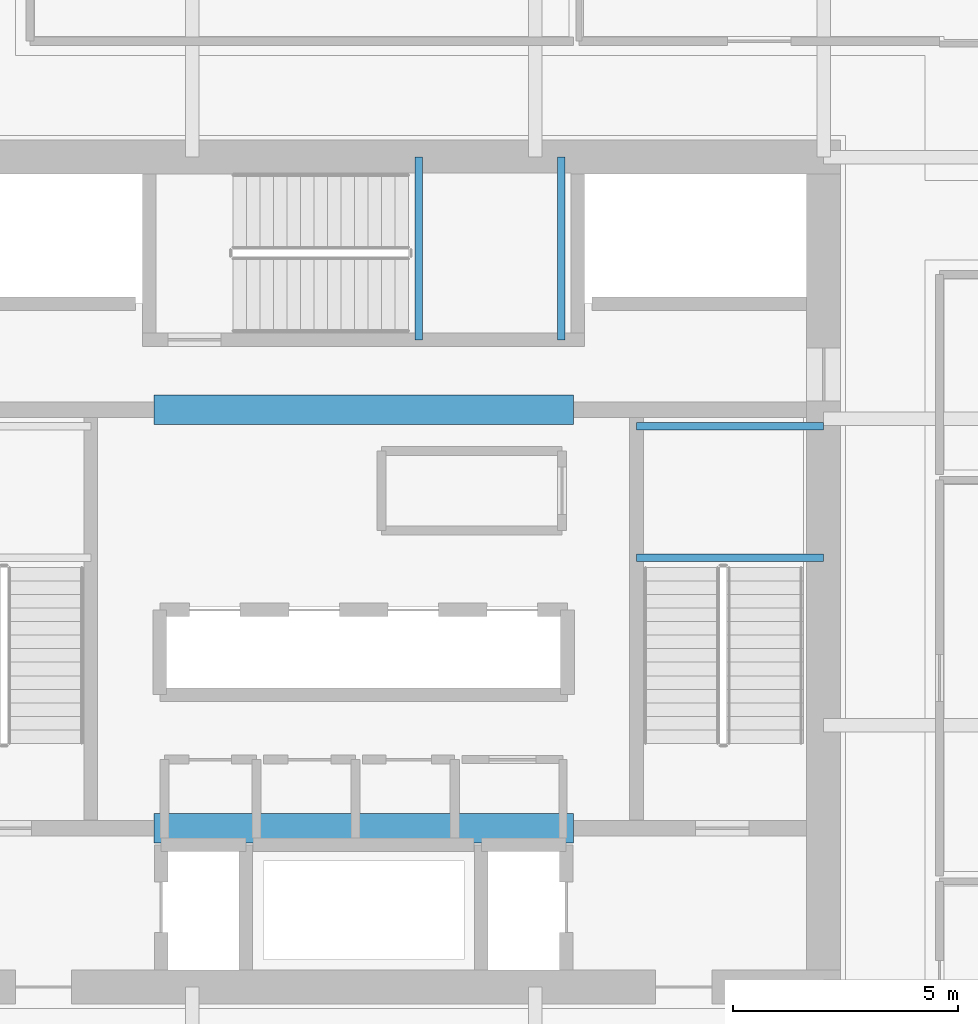
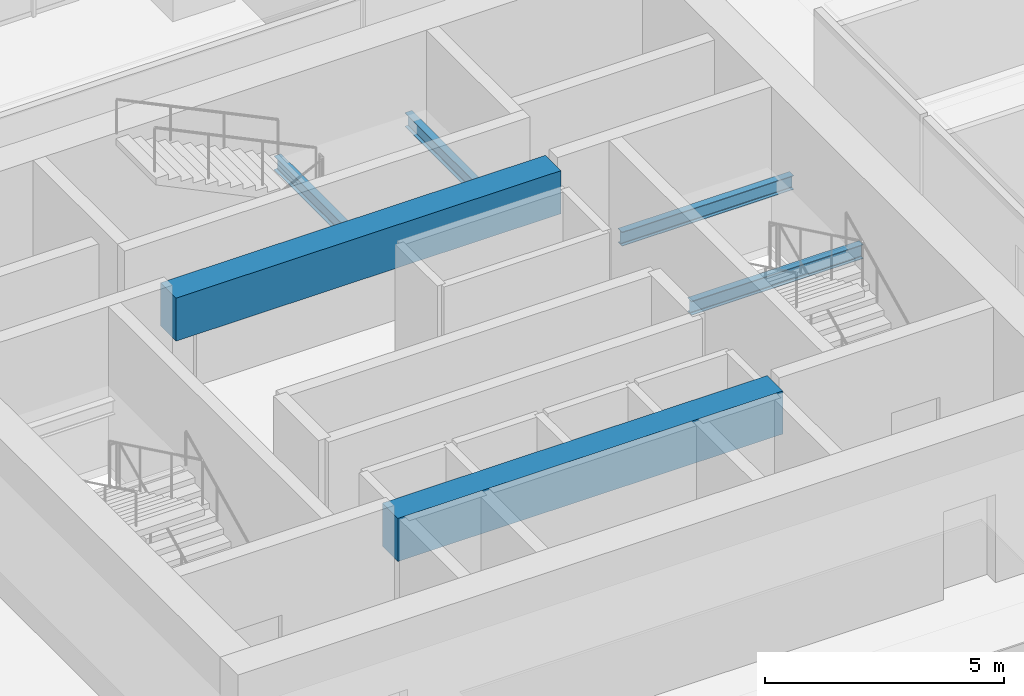
# One storey, part 11 of 35: 6 beams.
"""IFC4 building model written with IfcOpenShell, lengths in metres."""

from ifc_helpers import new_model, si_unit, direction, frame, origin, origin_2d, place, context, subcontext, project, spatial, rectangle, i_section, extrude, material, material_profile, profile_set, type_object, element, save


model = new_model("IFC4")

# Units and contexts
model_context = context("Model", 3, precision=1e-05, world=origin(), true_north=direction((0.0, 1.0)))
body_context = subcontext(model_context, "Body", "Model", "MODEL_VIEW")
ifc_project = project(units=[si_unit("LENGTHUNIT", "METRE"), si_unit("AREAUNIT", "SQUARE_METRE"), si_unit("VOLUMEUNIT", "CUBIC_METRE"), si_unit("PLANEANGLEUNIT", "RADIAN"), si_unit("MASSUNIT", "GRAM", prefix="KILO")], contexts=[model_context])

# Site, building, storey
site_placement = place(None, origin())
site = spatial("IfcSite", under=ifc_project, at=site_placement, CompositionType="ELEMENT")
building_placement = place(site_placement, origin())
building = spatial("IfcBuilding", under=site, at=building_placement, Name="Punatoya Terracotta Tower", CompositionType="ELEMENT")
storey_placement = place(building_placement, frame((0.0, 0.0, 68.699951171875)))
storey = spatial("IfcBuildingStorey", under=building, at=storey_placement, Name="L15", CompositionType="ELEMENT", Elevation=68.699951171875)

# Beams
ifc_material_1 = material(Name="Concrete C60/75", Category="concrete")
ifc_material_profile_1 = material_profile(ifc_material_1, rectangle(XDim=0.64990234375, YDim=1.10009765625, at=origin_2d()))
ifc_profile_set_1 = profile_set([ifc_material_profile_1], Name="Concrete C60/75")
beam_type_1 = type_object("IfcBeamType", Name="BM-RC-1100", PredefinedType="LINTEL", material=ifc_profile_set_1)
for number, where, z_axis, x_axis, name in (
    (1, (-4.64990234375, -5.679931640625, 3.260009765625), (1.0, 0.0, 0.0), (0.0, 1.0, 0.0), "L15 Core Coupling Lintel CSW"),
    (2, (-4.64990234375, 3.60009765625, 3.260009765625), (1.0, 0.0, 0.0), (0.0, 1.0, 0.0), "L15 Core Coupling Lintel CNW"),
):
    element("IfcBeam", number, at=place(storey_placement, frame(where, z_axis=z_axis, x_axis=x_axis)), inside=storey, type_object=beam_type_1, Name=name, PredefinedType="LINTEL", context=body_context, shape_type="SweptSolid", body=[
        extrude(rectangle(XDim=0.64990234375, YDim=1.10009765625, at=origin_2d()), origin(), (0.0, 0.0, 1.0), 9.2998046875),
    ])
ifc_material_2 = material(Name="Steel S355", Category="steel")
ifc_material_profile_2 = material_profile(ifc_material_2, i_section(OverallWidth=0.169921875, OverallDepth=0.360107421875, WebThickness=0.008056640625, FlangeThickness=0.0126953125, FilletRadius=0.01806640625, at=origin_2d()))
ifc_profile_set_2 = profile_set([ifc_material_profile_2], Name="Steel S355")
beam_type_2 = type_object("IfcBeamType", Name="BM-SEC-360", PredefinedType="JOIST", material=ifc_profile_set_2)
for number, where, z_axis, x_axis, name in (
    (3, (6.050048828125, 0.320068359375, 1.64501953125), (1.0, 0.0, 0.0), (0.0, 1.0, 0.0), "BM-L15-ST-2-LD1A"),
    (4, (6.050048828125, 3.22998046875, 1.64501953125), (1.0, 0.0, 0.0), (0.0, 1.0, 0.0), "BM-L15-ST-2-LD1B"),
):
    element("IfcBeam", number, at=place(storey_placement, frame(where, z_axis=z_axis, x_axis=x_axis)), inside=storey, type_object=beam_type_2, Name=name, PredefinedType="JOIST", context=body_context, shape_type="SweptSolid", body=[
        extrude(i_section(OverallWidth=0.169921875, OverallDepth=0.360107421875, WebThickness=0.008056640625, FlangeThickness=0.0126953125, FilletRadius=0.01806640625, at=origin_2d()), origin(), (0.0, 0.0, 1.0), 4.14990234375),
    ])
for number, where, z_axis, x_axis, name in (
    (5, (1.219970703125, 5.14990234375, 1.64501953125), (0.0, 1.0, 0.0), (-1.0, 0.0, 0.0), "BM-L15-ST-3-LD1A"),
    (6, (4.3798828125, 5.14990234375, 1.64501953125), (0.0, 1.0, 0.0), (-1.0, 0.0, 0.0), "BM-L15-ST-3-LD1B"),
):
    element("IfcBeam", number, at=place(storey_placement, frame(where, z_axis=z_axis, x_axis=x_axis)), inside=storey, type_object=beam_type_2, Name=name, PredefinedType="JOIST", context=body_context, shape_type="SweptSolid", body=[
        extrude(i_section(OverallWidth=0.169921875, OverallDepth=0.360107421875, WebThickness=0.008056640625, FlangeThickness=0.0126953125, FilletRadius=0.01806640625, at=origin_2d()), origin(), (0.0, 0.0, 1.0), 4.050048828125),
    ])

save(model, "model.ifc")
